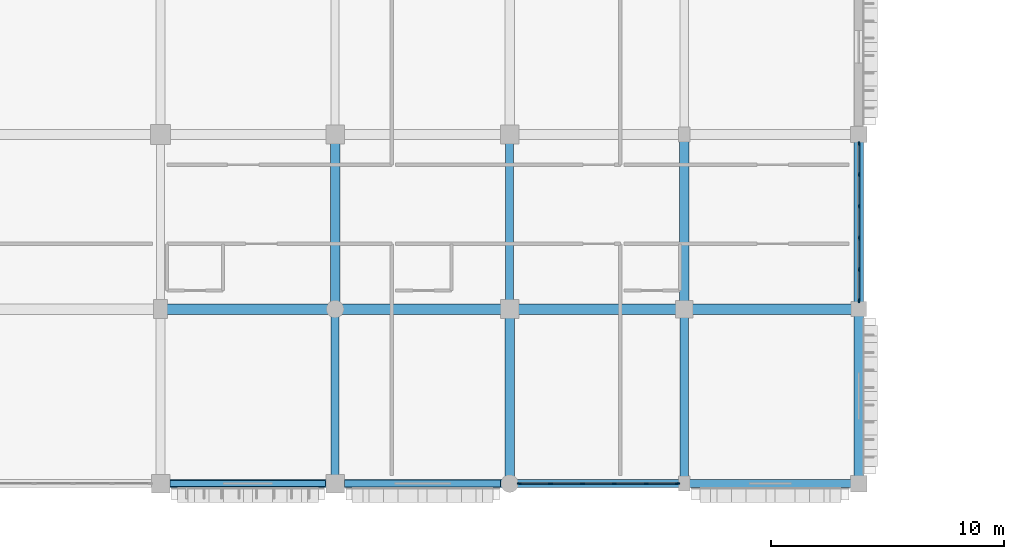
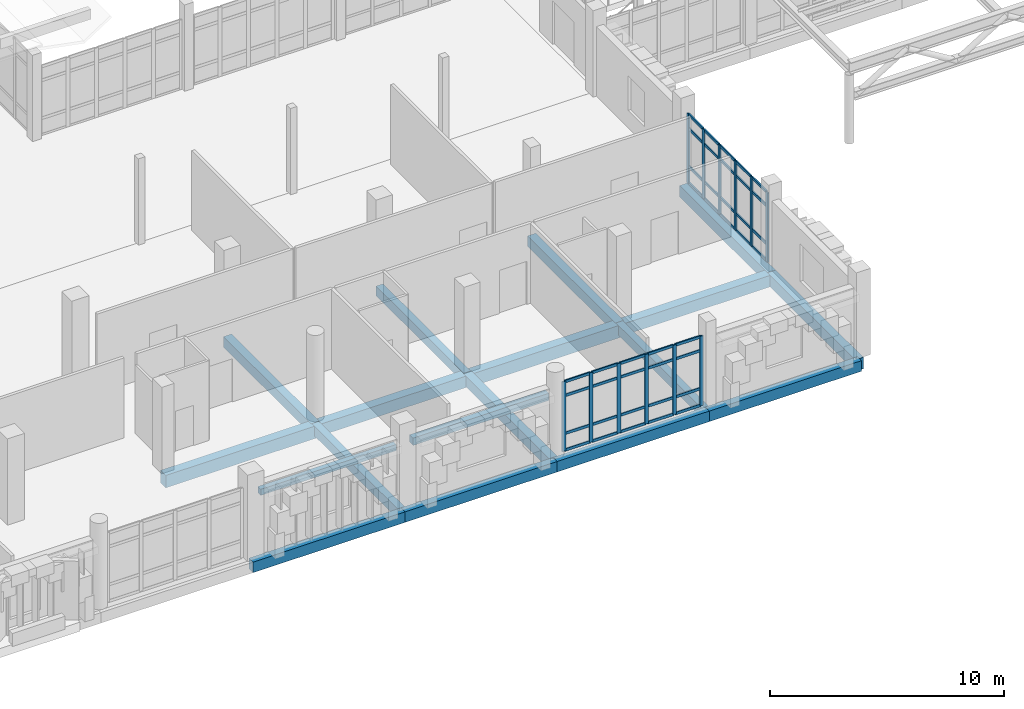
# One storey, part 16 of 128: 52 members, 18 beams, 2 elements without a shape of their own.
"""IFC4 building model written with IfcOpenShell, lengths in metres."""

from ifc_helpers import new_model, si_unit, direction, frame, origin, origin_2d, place, context, subcontext, project, spatial, rectangle, extrude, material, layer, layer_set, material_profile, profile_set, type_object, element, aggregate, save


model = new_model("IFC4")

# Units and contexts
model_context = context("Model", 3, precision=1e-05, world=origin(), true_north=direction((0.0, 1.0)))
body_context = subcontext(model_context, "Body", "Model", "MODEL_VIEW")
ifc_project = project(units=[si_unit("LENGTHUNIT", "METRE"), si_unit("AREAUNIT", "SQUARE_METRE"), si_unit("VOLUMEUNIT", "CUBIC_METRE"), si_unit("PLANEANGLEUNIT", "RADIAN"), si_unit("MASSUNIT", "GRAM", prefix="KILO")], contexts=[model_context])

# Site, building, storey
site_placement = place(None, origin())
site = spatial("IfcSite", under=ifc_project, at=site_placement, CompositionType="ELEMENT")
building_placement = place(site_placement, origin())
building = spatial("IfcBuilding", under=site, at=building_placement, Name="Dalvernix Boulevard General Hospital", CompositionType="ELEMENT")
storey_placement = place(building_placement, frame((0.0, 0.0, 4.800048828125)))
storey = spatial("IfcBuildingStorey", under=building, at=storey_placement, Name="L01", CompositionType="ELEMENT", Elevation=4.800048828125)

# Beams
ifc_material_1 = material(Name="Concrete C35/45", Category="concrete")
ifc_material_profile_1 = material_profile(ifc_material_1, rectangle(XDim=0.449951171875, YDim=0.64990234375, at=origin_2d()), Name="RCB 450x650")
ifc_profile_set_1 = profile_set([ifc_material_profile_1], Name="Concrete C35/45")
beam_type_1 = type_object("IfcBeamType", Name="BM-B-03-I", PredefinedType="BEAM", material=ifc_profile_set_1)
for number, where, z_axis, x_axis, name in (
    (1, (30.0, 7.5, -0.625), (1.0, 0.0, 0.0), (0.0, 1.0, 0.0), "L01 E-W girder B:5-6"),
    (2, (45.0, 7.5, -0.625), (1.0, 0.0, 0.0), (0.0, 1.0, 0.0), "L01 E-W girder B:7-8"),
):
    element("IfcBeam", number, at=place(storey_placement, frame(where, z_axis=z_axis, x_axis=x_axis)), inside=storey, type_object=beam_type_1, Name=name, PredefinedType="BEAM", context=body_context, shape_type="SweptSolid", body=[
        extrude(rectangle(XDim=0.449951171875, YDim=0.64990234375, at=origin_2d()), origin(), (0.0, 0.0, 1.0), 7.5),
    ])
ifc_material_profile_2 = material_profile(ifc_material_1, rectangle(XDim=0.449951171875, YDim=0.60009765625, at=origin_2d()), Name="RCB 450x600")
ifc_profile_set_2 = profile_set([ifc_material_profile_2], Name="Concrete C35/45")
beam_type_2 = type_object("IfcBeamType", Name="BM-B-04-I", PredefinedType="BEAM", material=ifc_profile_set_2)
for number, where, z_axis, x_axis, name in (
    (3, (37.5, 7.5, -0.60009765625), (1.0, 0.0, 0.0), (0.0, 1.0, 0.0), "L01 E-W girder B:6-7"),
    (4, (52.5, 7.5, -0.60009765625), (1.0, 0.0, 0.0), (0.0, 1.0, 0.0), "L01 E-W girder B:8-9"),
):
    element("IfcBeam", number, at=place(storey_placement, frame(where, z_axis=z_axis, x_axis=x_axis)), inside=storey, type_object=beam_type_2, Name=name, PredefinedType="BEAM", context=body_context, shape_type="SweptSolid", body=[
        extrude(rectangle(XDim=0.449951171875, YDim=0.60009765625, at=origin_2d()), origin(), (0.0, 0.0, 1.0), 7.5),
    ])
ifc_material_profile_3 = material_profile(ifc_material_1, rectangle(XDim=0.39990234375, YDim=0.550048828125, at=origin_2d()), Name="RCB 400x550")
ifc_profile_set_3 = profile_set([ifc_material_profile_3], Name="Concrete C35/45")
beam_type_3 = type_object("IfcBeamType", Name="BM-B-06-I", PredefinedType="BEAM", material=ifc_profile_set_3)
for number, where, z_axis, x_axis, name in (
    (5, (37.5, 7.5, -0.574951171875), (0.0, 1.0, 0.0), (-1.0, 0.0, 0.0), "L01 N-S girder 6:B-C"),
    (6, (45.0, 0.0, -0.574951171875), (0.0, 1.0, 0.0), (-1.0, 0.0, 0.0), "L01 N-S girder 7:A-B"),
    (7, (52.5, 7.5, -0.574951171875), (0.0, 1.0, 0.0), (-1.0, 0.0, 0.0), "L01 N-S girder 8:B-C"),
):
    element("IfcBeam", number, at=place(storey_placement, frame(where, z_axis=z_axis, x_axis=x_axis)), inside=storey, type_object=beam_type_3, Name=name, PredefinedType="BEAM", context=body_context, shape_type="SweptSolid", body=[
        extrude(rectangle(XDim=0.39990234375, YDim=0.550048828125, at=origin_2d()), origin(), (0.0, 0.0, 1.0), 7.5),
    ])
ifc_material_profile_4 = material_profile(ifc_material_1, rectangle(XDim=0.35009765625, YDim=0.5, at=origin_2d()), Name="RCB 350x500")
ifc_profile_set_4 = profile_set([ifc_material_profile_4], Name="Concrete C35/45")
beam_type_4 = type_object("IfcBeamType", Name="BM-B-08-I", PredefinedType="BEAM", material=ifc_profile_set_4)
for number, where, z_axis, x_axis, name in (
    (8, (37.5, 0.0, -0.550048828125), (0.0, 1.0, 0.0), (-1.0, 0.0, 0.0), "L01 N-S girder 6:A-B"),
    (9, (45.0, 7.5, -0.550048828125), (0.0, 1.0, 0.0), (-1.0, 0.0, 0.0), "L01 N-S girder 7:B-C"),
    (10, (52.5, 0.0, -0.550048828125), (0.0, 1.0, 0.0), (-1.0, 0.0, 0.0), "L01 N-S girder 8:A-B"),
):
    element("IfcBeam", number, at=place(storey_placement, frame(where, z_axis=z_axis, x_axis=x_axis)), inside=storey, type_object=beam_type_4, Name=name, PredefinedType="BEAM", context=body_context, shape_type="SweptSolid", body=[
        extrude(rectangle(XDim=0.35009765625, YDim=0.5, at=origin_2d()), origin(), (0.0, 0.0, 1.0), 7.5),
    ])
ifc_material_2 = material(Name="Precast concrete C40/50", Category="concrete")
ifc_material_profile_5 = material_profile(ifc_material_2, rectangle(XDim=0.25, YDim=0.320068359375, at=origin_2d()), Name="RCL 250x320")
ifc_profile_set_5 = profile_set([ifc_material_profile_5], Name="Precast concrete C40/50")
beam_type_5 = type_object("IfcBeamType", Name="BM-LB-01", PredefinedType="LINTEL", material=ifc_profile_set_5)
beam_1_placement = place(storey_placement, frame((37.090087890625, 0.0, 3.159912109375), z_axis=(-1.0, 0.0, 0.0), x_axis=(0.0, -1.0, 0.0)))
element("IfcBeam", 11, at=beam_1_placement, inside=storey, type_object=beam_type_5, Name="L01 precast window lintel S 4-0", PredefinedType="LINTEL", context=body_context, shape_type="SweptSolid", body=[
    extrude(rectangle(XDim=0.25, YDim=0.320068359375, at=origin_2d()), origin(), (0.0, 0.0, 1.0), 6.68017578125),
])
ifc_material_profile_6 = material_profile(ifc_material_2, rectangle(XDim=0.300048828125, YDim=0.3798828125, at=origin_2d()), Name="RCL 300x380")
ifc_profile_set_6 = profile_set([ifc_material_profile_6], Name="Precast concrete C40/50")
beam_type_6 = type_object("IfcBeamType", Name="BM-LB-02", PredefinedType="LINTEL", material=ifc_profile_set_6)
beam_2_placement = place(storey_placement, frame((44.614990234375, 0.0, 3.18994140625), z_axis=(-1.0, 0.0, 0.0), x_axis=(0.0, -1.0, 0.0)))
element("IfcBeam", 12, at=beam_2_placement, inside=storey, type_object=beam_type_6, Name="L01 precast window lintel S 5-0", PredefinedType="LINTEL", context=body_context, shape_type="SweptSolid", body=[
    extrude(rectangle(XDim=0.300048828125, YDim=0.3798828125, at=origin_2d()), origin(), (0.0, 0.0, 1.0), 6.705078125),
])
ifc_material_profile_7 = material_profile(ifc_material_1, rectangle(XDim=0.35009765625, YDim=0.550048828125, at=origin_2d()), Name="RCB 350x550")
ifc_profile_set_7 = profile_set([ifc_material_profile_7], Name="Concrete C35/45")
beam_type_7 = type_object("IfcBeamType", Name="BM-SB-01-E", PredefinedType="SPANDREL", material=ifc_profile_set_7)
for number, where, z_axis, x_axis, name in (
    (13, (30.0, 0.0, -0.574951171875), (1.0, 0.0, 0.0), (0.0, 1.0, 0.0), "L01 E-W girder A:5-6"),
    (14, (37.5, 0.0, -0.574951171875), (1.0, 0.0, 0.0), (0.0, 1.0, 0.0), "L01 E-W girder A:6-7"),
    (15, (45.0, 0.0, -0.574951171875), (1.0, 0.0, 0.0), (0.0, 1.0, 0.0), "L01 E-W girder A:7-8"),
    (16, (52.5, 0.0, -0.574951171875), (1.0, 0.0, 0.0), (0.0, 1.0, 0.0), "L01 E-W girder A:8-9"),
):
    element("IfcBeam", number, at=place(storey_placement, frame(where, z_axis=z_axis, x_axis=x_axis)), inside=storey, type_object=beam_type_7, Name=name, PredefinedType="SPANDREL", context=body_context, shape_type="SweptSolid", body=[
        extrude(rectangle(XDim=0.35009765625, YDim=0.550048828125, at=origin_2d()), origin(), (0.0, 0.0, 1.0), 7.5),
    ])
ifc_material_profile_8 = material_profile(ifc_material_1, rectangle(XDim=0.39990234375, YDim=0.60009765625, at=origin_2d()), Name="RCB 400x600")
ifc_profile_set_8 = profile_set([ifc_material_profile_8], Name="Concrete C35/45")
beam_type_8 = type_object("IfcBeamType", Name="BM-SB-02-E", PredefinedType="SPANDREL", material=ifc_profile_set_8)
for number, where, z_axis, x_axis, name in (
    (17, (60.0, 0.0, -0.60009765625), (0.0, 1.0, 0.0), (-1.0, 0.0, 0.0), "L01 N-S girder 9:A-B"),
    (18, (60.0, 7.5, -0.60009765625), (0.0, 1.0, 0.0), (-1.0, 0.0, 0.0), "L01 N-S girder 9:B-C"),
):
    element("IfcBeam", number, at=place(storey_placement, frame(where, z_axis=z_axis, x_axis=x_axis)), inside=storey, type_object=beam_type_8, Name=name, PredefinedType="SPANDREL", context=body_context, shape_type="SweptSolid", body=[
        extrude(rectangle(XDim=0.39990234375, YDim=0.60009765625, at=origin_2d()), origin(), (0.0, 0.0, 1.0), 7.5),
    ])

# Curtain wall, members
ifc_material_3 = material(Name="Thermally broken aluminium and solar-control glass curtain wall", Category="aluminium")
ifc_layer_1 = layer(ifc_material_3, 0.179931640625)
ifc_layer_set_1 = layer_set([ifc_layer_1], Name="Thermally broken aluminium and solar-control glass curtain wall (CW-CW-B-69x36)")
curtain_wall_type_1 = type_object("IfcCurtainWallType", Name="CW-CW-B-69x36", PredefinedType="USERDEFINED", material=ifc_layer_set_1)
curtain_wall_1_placement = place(storey_placement, origin())
curtain_wall_1 = element("IfcCurtainWall", 19, at=curtain_wall_1_placement, inside=storey, type_object=curtain_wall_type_1, Name="L01 curtain wall CW-B-69x36 6-0", ObjectType="GLAZED FACADE", PredefinedType="USERDEFINED")
ifc_material_4 = material(Name="Aluminium EN AW-6060", Category="aluminium")
ifc_material_profile_9 = material_profile(ifc_material_4, rectangle(XDim=0.06494140625, YDim=0.179931640625, at=origin_2d()), Name="ALU MULL 65x180")
ifc_profile_set_9 = profile_set([ifc_material_profile_9], Name="Aluminium EN AW-6060")
member_type_1 = type_object("IfcMemberType", Name="MEM-CW-M2", PredefinedType="MULLION", material=ifc_profile_set_9)
member_1_placement = place(storey_placement, frame((52.20751953125, 0.0, 0.0), z_axis=(0.0, 0.0, 1.0), x_axis=(0.0, -1.0, 0.0)))
member_1 = element("IfcMember", 20, at=member_1_placement, type_object=member_type_1, Name="CW-B-69x36 mullion 1", PredefinedType="MULLION", context=body_context, shape_type="SweptSolid", body=[
    extrude(rectangle(XDim=0.06494140625, YDim=0.179931640625, at=origin_2d()), origin(), (0.0, 0.0, 1.0), 3.6298828125),
])
member_2_placement = place(storey_placement, frame((50.868896484375, 0.0, 0.0), z_axis=(0.0, 0.0, 1.0), x_axis=(0.0, -1.0, 0.0)))
member_2 = element("IfcMember", 21, at=member_2_placement, type_object=member_type_1, Name="CW-B-69x36 mullion 2", PredefinedType="MULLION", context=body_context, shape_type="SweptSolid", body=[
    extrude(rectangle(XDim=0.06494140625, YDim=0.179931640625, at=origin_2d()), origin(), (0.0, 0.0, 1.0), 3.6298828125),
])
member_3_placement = place(storey_placement, frame((49.498046875, 0.0, 0.0), z_axis=(0.0, 0.0, 1.0), x_axis=(0.0, -1.0, 0.0)))
member_3 = element("IfcMember", 22, at=member_3_placement, type_object=member_type_1, Name="CW-B-69x36 mullion 3", PredefinedType="MULLION", context=body_context, shape_type="SweptSolid", body=[
    extrude(rectangle(XDim=0.06494140625, YDim=0.179931640625, at=origin_2d()), origin(), (0.0, 0.0, 1.0), 3.6298828125),
])
member_4_placement = place(storey_placement, frame((48.126953125, 0.0, 0.0), z_axis=(0.0, 0.0, 1.0), x_axis=(0.0, -1.0, 0.0)))
member_4 = element("IfcMember", 23, at=member_4_placement, type_object=member_type_1, Name="CW-B-69x36 mullion 4", PredefinedType="MULLION", context=body_context, shape_type="SweptSolid", body=[
    extrude(rectangle(XDim=0.06494140625, YDim=0.179931640625, at=origin_2d()), origin(), (0.0, 0.0, 1.0), 3.6298828125),
])
member_5_placement = place(storey_placement, frame((46.756103515625, 0.0, 0.0), z_axis=(0.0, 0.0, 1.0), x_axis=(0.0, -1.0, 0.0)))
member_5 = element("IfcMember", 24, at=member_5_placement, type_object=member_type_1, Name="CW-B-69x36 mullion 5", PredefinedType="MULLION", context=body_context, shape_type="SweptSolid", body=[
    extrude(rectangle(XDim=0.06494140625, YDim=0.179931640625, at=origin_2d()), origin(), (0.0, 0.0, 1.0), 3.6298828125),
])
member_6_placement = place(storey_placement, frame((45.41748046875, 0.0, 0.0), z_axis=(0.0, 0.0, 1.0), x_axis=(0.0, -1.0, 0.0)))
member_6 = element("IfcMember", 25, at=member_6_placement, type_object=member_type_1, Name="CW-B-69x36 mullion 6", PredefinedType="MULLION", context=body_context, shape_type="SweptSolid", body=[
    extrude(rectangle(XDim=0.06494140625, YDim=0.179931640625, at=origin_2d()), origin(), (0.0, 0.0, 1.0), 3.6298828125),
])

ifc_layer_2 = layer(ifc_material_3, 0.179931640625)
ifc_layer_set_2 = layer_set([ifc_layer_2], Name="Thermally broken aluminium and solar-control glass curtain wall (CW-CW-B-68x36)")
curtain_wall_type_2 = type_object("IfcCurtainWallType", Name="CW-CW-B-68x36", PredefinedType="USERDEFINED", material=ifc_layer_set_2)
curtain_wall_2_placement = place(storey_placement, origin())
curtain_wall_2 = element("IfcCurtainWall", 26, at=curtain_wall_2_placement, inside=storey, type_object=curtain_wall_type_2, Name="L01 curtain wall CW-B-68x36 8-1", ObjectType="GLAZED FACADE", PredefinedType="USERDEFINED")
member_7_placement = place(storey_placement, frame((60.0, 14.607421875, 0.0), z_axis=(0.0, 0.0, 1.0), x_axis=(1.0, 0.0, 0.0)))
member_7 = element("IfcMember", 27, at=member_7_placement, type_object=member_type_1, Name="CW-B-68x36 mullion 1", PredefinedType="MULLION", context=body_context, shape_type="SweptSolid", body=[
    extrude(rectangle(XDim=0.06494140625, YDim=0.179931640625, at=origin_2d()), origin(), (0.0, 0.0, 1.0), 3.6298828125),
])
member_8_placement = place(storey_placement, frame((60.0, 13.279052734375, 0.0), z_axis=(0.0, 0.0, 1.0), x_axis=(1.0, 0.0, 0.0)))
member_8 = element("IfcMember", 28, at=member_8_placement, type_object=member_type_1, Name="CW-B-68x36 mullion 2", PredefinedType="MULLION", context=body_context, shape_type="SweptSolid", body=[
    extrude(rectangle(XDim=0.06494140625, YDim=0.179931640625, at=origin_2d()), origin(), (0.0, 0.0, 1.0), 3.6298828125),
])
member_9_placement = place(storey_placement, frame((60.0, 11.91796875, 0.0), z_axis=(0.0, 0.0, 1.0), x_axis=(1.0, 0.0, 0.0)))
member_9 = element("IfcMember", 29, at=member_9_placement, type_object=member_type_1, Name="CW-B-68x36 mullion 3", PredefinedType="MULLION", context=body_context, shape_type="SweptSolid", body=[
    extrude(rectangle(XDim=0.06494140625, YDim=0.179931640625, at=origin_2d()), origin(), (0.0, 0.0, 1.0), 3.6298828125),
])
member_10_placement = place(storey_placement, frame((60.0, 10.556884765625, 0.0), z_axis=(0.0, 0.0, 1.0), x_axis=(1.0, 0.0, 0.0)))
member_10 = element("IfcMember", 30, at=member_10_placement, type_object=member_type_1, Name="CW-B-68x36 mullion 4", PredefinedType="MULLION", context=body_context, shape_type="SweptSolid", body=[
    extrude(rectangle(XDim=0.06494140625, YDim=0.179931640625, at=origin_2d()), origin(), (0.0, 0.0, 1.0), 3.6298828125),
])
member_11_placement = place(storey_placement, frame((60.0, 9.196044921875, 0.0), z_axis=(0.0, 0.0, 1.0), x_axis=(1.0, 0.0, 0.0)))
member_11 = element("IfcMember", 31, at=member_11_placement, type_object=member_type_1, Name="CW-B-68x36 mullion 5", PredefinedType="MULLION", context=body_context, shape_type="SweptSolid", body=[
    extrude(rectangle(XDim=0.06494140625, YDim=0.179931640625, at=origin_2d()), origin(), (0.0, 0.0, 1.0), 3.6298828125),
])
member_12_placement = place(storey_placement, frame((60.0, 7.867431640625, 0.0), z_axis=(0.0, 0.0, 1.0), x_axis=(1.0, 0.0, 0.0)))
member_12 = element("IfcMember", 32, at=member_12_placement, type_object=member_type_1, Name="CW-B-68x36 mullion 6", PredefinedType="MULLION", context=body_context, shape_type="SweptSolid", body=[
    extrude(rectangle(XDim=0.06494140625, YDim=0.179931640625, at=origin_2d()), origin(), (0.0, 0.0, 1.0), 3.6298828125),
])

# Member
ifc_material_profile_10 = material_profile(ifc_material_4, rectangle(XDim=0.06494140625, YDim=0.139892578125, at=origin_2d()), Name="ALU TRAN 65x140")
ifc_profile_set_10 = profile_set([ifc_material_profile_10], Name="Aluminium EN AW-6060")
member_type_2 = type_object("IfcMemberType", Name="MEM-CW-T2", PredefinedType="USERDEFINED", material=ifc_profile_set_10)
member_13_placement = place(storey_placement, frame((52.175048828125, 0.0, 0.032470703125), z_axis=(-1.0, 0.0, 0.0), x_axis=(0.0, -1.0, 0.0)))
member_13 = element("IfcMember", 33, at=member_13_placement, type_object=member_type_2, Name="CW-B-69x36 transom 1.1", ObjectType="TRANSOM", PredefinedType="USERDEFINED", context=body_context, shape_type="SweptSolid", body=[
    extrude(rectangle(XDim=0.06494140625, YDim=0.139892578125, at=origin_2d()), origin(), (0.0, 0.0, 1.0), 1.2734375),
])

member_14_placement = place(storey_placement, frame((52.175048828125, 0.0, 0.89990234375), z_axis=(-1.0, 0.0, 0.0), x_axis=(0.0, -1.0, 0.0)))
member_14 = element("IfcMember", 34, at=member_14_placement, type_object=member_type_2, Name="CW-B-69x36 transom 1.2", ObjectType="TRANSOM", PredefinedType="USERDEFINED", context=body_context, shape_type="SweptSolid", body=[
    extrude(rectangle(XDim=0.06494140625, YDim=0.139892578125, at=origin_2d()), origin(), (0.0, 0.0, 1.0), 1.2734375),
])

member_15_placement = place(storey_placement, frame((52.175048828125, 0.0, 2.8798828125), z_axis=(-1.0, 0.0, 0.0), x_axis=(0.0, -1.0, 0.0)))
member_15 = element("IfcMember", 35, at=member_15_placement, type_object=member_type_2, Name="CW-B-69x36 transom 1.3", ObjectType="TRANSOM", PredefinedType="USERDEFINED", context=body_context, shape_type="SweptSolid", body=[
    extrude(rectangle(XDim=0.06494140625, YDim=0.139892578125, at=origin_2d()), origin(), (0.0, 0.0, 1.0), 1.2734375),
])

member_16_placement = place(storey_placement, frame((52.175048828125, 0.0, 3.597412109375), z_axis=(-1.0, 0.0, 0.0), x_axis=(0.0, -1.0, 0.0)))
member_16 = element("IfcMember", 36, at=member_16_placement, type_object=member_type_2, Name="CW-B-69x36 transom 1.4", ObjectType="TRANSOM", PredefinedType="USERDEFINED", context=body_context, shape_type="SweptSolid", body=[
    extrude(rectangle(XDim=0.06494140625, YDim=0.139892578125, at=origin_2d()), origin(), (0.0, 0.0, 1.0), 1.2734375),
])

member_17_placement = place(storey_placement, frame((50.83642578125, 0.0, 0.032470703125), z_axis=(-1.0, 0.0, 0.0), x_axis=(0.0, -1.0, 0.0)))
member_17 = element("IfcMember", 37, at=member_17_placement, type_object=member_type_2, Name="CW-B-69x36 transom 2.1", ObjectType="TRANSOM", PredefinedType="USERDEFINED", context=body_context, shape_type="SweptSolid", body=[
    extrude(rectangle(XDim=0.06494140625, YDim=0.139892578125, at=origin_2d()), origin(), (0.0, 0.0, 1.0), 1.305908203125),
])

member_18_placement = place(storey_placement, frame((50.83642578125, 0.0, 0.89990234375), z_axis=(-1.0, 0.0, 0.0), x_axis=(0.0, -1.0, 0.0)))
member_18 = element("IfcMember", 38, at=member_18_placement, type_object=member_type_2, Name="CW-B-69x36 transom 2.2", ObjectType="TRANSOM", PredefinedType="USERDEFINED", context=body_context, shape_type="SweptSolid", body=[
    extrude(rectangle(XDim=0.06494140625, YDim=0.139892578125, at=origin_2d()), origin(), (0.0, 0.0, 1.0), 1.305908203125),
])

member_19_placement = place(storey_placement, frame((50.83642578125, 0.0, 2.8798828125), z_axis=(-1.0, 0.0, 0.0), x_axis=(0.0, -1.0, 0.0)))
member_19 = element("IfcMember", 39, at=member_19_placement, type_object=member_type_2, Name="CW-B-69x36 transom 2.3", ObjectType="TRANSOM", PredefinedType="USERDEFINED", context=body_context, shape_type="SweptSolid", body=[
    extrude(rectangle(XDim=0.06494140625, YDim=0.139892578125, at=origin_2d()), origin(), (0.0, 0.0, 1.0), 1.305908203125),
])

member_20_placement = place(storey_placement, frame((50.83642578125, 0.0, 3.597412109375), z_axis=(-1.0, 0.0, 0.0), x_axis=(0.0, -1.0, 0.0)))
member_20 = element("IfcMember", 40, at=member_20_placement, type_object=member_type_2, Name="CW-B-69x36 transom 2.4", ObjectType="TRANSOM", PredefinedType="USERDEFINED", context=body_context, shape_type="SweptSolid", body=[
    extrude(rectangle(XDim=0.06494140625, YDim=0.139892578125, at=origin_2d()), origin(), (0.0, 0.0, 1.0), 1.305908203125),
])

member_21_placement = place(storey_placement, frame((49.465576171875, 0.0, 0.032470703125), z_axis=(-1.0, 0.0, 0.0), x_axis=(0.0, -1.0, 0.0)))
member_21 = element("IfcMember", 41, at=member_21_placement, type_object=member_type_2, Name="CW-B-69x36 transom 3.1", ObjectType="TRANSOM", PredefinedType="USERDEFINED", context=body_context, shape_type="SweptSolid", body=[
    extrude(rectangle(XDim=0.06494140625, YDim=0.139892578125, at=origin_2d()), origin(), (0.0, 0.0, 1.0), 1.30615234375),
])

member_22_placement = place(storey_placement, frame((49.465576171875, 0.0, 0.89990234375), z_axis=(-1.0, 0.0, 0.0), x_axis=(0.0, -1.0, 0.0)))
member_22 = element("IfcMember", 42, at=member_22_placement, type_object=member_type_2, Name="CW-B-69x36 transom 3.2", ObjectType="TRANSOM", PredefinedType="USERDEFINED", context=body_context, shape_type="SweptSolid", body=[
    extrude(rectangle(XDim=0.06494140625, YDim=0.139892578125, at=origin_2d()), origin(), (0.0, 0.0, 1.0), 1.30615234375),
])

member_23_placement = place(storey_placement, frame((49.465576171875, 0.0, 2.8798828125), z_axis=(-1.0, 0.0, 0.0), x_axis=(0.0, -1.0, 0.0)))
member_23 = element("IfcMember", 43, at=member_23_placement, type_object=member_type_2, Name="CW-B-69x36 transom 3.3", ObjectType="TRANSOM", PredefinedType="USERDEFINED", context=body_context, shape_type="SweptSolid", body=[
    extrude(rectangle(XDim=0.06494140625, YDim=0.139892578125, at=origin_2d()), origin(), (0.0, 0.0, 1.0), 1.30615234375),
])

member_24_placement = place(storey_placement, frame((49.465576171875, 0.0, 3.597412109375), z_axis=(-1.0, 0.0, 0.0), x_axis=(0.0, -1.0, 0.0)))
member_24 = element("IfcMember", 44, at=member_24_placement, type_object=member_type_2, Name="CW-B-69x36 transom 3.4", ObjectType="TRANSOM", PredefinedType="USERDEFINED", context=body_context, shape_type="SweptSolid", body=[
    extrude(rectangle(XDim=0.06494140625, YDim=0.139892578125, at=origin_2d()), origin(), (0.0, 0.0, 1.0), 1.30615234375),
])

member_25_placement = place(storey_placement, frame((48.094482421875, 0.0, 0.032470703125), z_axis=(-1.0, 0.0, 0.0), x_axis=(0.0, -1.0, 0.0)))
member_25 = element("IfcMember", 45, at=member_25_placement, type_object=member_type_2, Name="CW-B-69x36 transom 4.1", ObjectType="TRANSOM", PredefinedType="USERDEFINED", context=body_context, shape_type="SweptSolid", body=[
    extrude(rectangle(XDim=0.06494140625, YDim=0.139892578125, at=origin_2d()), origin(), (0.0, 0.0, 1.0), 1.305908203125),
])

member_26_placement = place(storey_placement, frame((48.094482421875, 0.0, 0.89990234375), z_axis=(-1.0, 0.0, 0.0), x_axis=(0.0, -1.0, 0.0)))
member_26 = element("IfcMember", 46, at=member_26_placement, type_object=member_type_2, Name="CW-B-69x36 transom 4.2", ObjectType="TRANSOM", PredefinedType="USERDEFINED", context=body_context, shape_type="SweptSolid", body=[
    extrude(rectangle(XDim=0.06494140625, YDim=0.139892578125, at=origin_2d()), origin(), (0.0, 0.0, 1.0), 1.305908203125),
])

member_27_placement = place(storey_placement, frame((48.094482421875, 0.0, 2.8798828125), z_axis=(-1.0, 0.0, 0.0), x_axis=(0.0, -1.0, 0.0)))
member_27 = element("IfcMember", 47, at=member_27_placement, type_object=member_type_2, Name="CW-B-69x36 transom 4.3", ObjectType="TRANSOM", PredefinedType="USERDEFINED", context=body_context, shape_type="SweptSolid", body=[
    extrude(rectangle(XDim=0.06494140625, YDim=0.139892578125, at=origin_2d()), origin(), (0.0, 0.0, 1.0), 1.305908203125),
])

member_28_placement = place(storey_placement, frame((48.094482421875, 0.0, 3.597412109375), z_axis=(-1.0, 0.0, 0.0), x_axis=(0.0, -1.0, 0.0)))
member_28 = element("IfcMember", 48, at=member_28_placement, type_object=member_type_2, Name="CW-B-69x36 transom 4.4", ObjectType="TRANSOM", PredefinedType="USERDEFINED", context=body_context, shape_type="SweptSolid", body=[
    extrude(rectangle(XDim=0.06494140625, YDim=0.139892578125, at=origin_2d()), origin(), (0.0, 0.0, 1.0), 1.305908203125),
])

member_29_placement = place(storey_placement, frame((46.723388671875, 0.0, 0.032470703125), z_axis=(-1.0, 0.0, 0.0), x_axis=(0.0, -1.0, 0.0)))
member_29 = element("IfcMember", 49, at=member_29_placement, type_object=member_type_2, Name="CW-B-69x36 transom 5.1", ObjectType="TRANSOM", PredefinedType="USERDEFINED", context=body_context, shape_type="SweptSolid", body=[
    extrude(rectangle(XDim=0.06494140625, YDim=0.139892578125, at=origin_2d()), origin(), (0.0, 0.0, 1.0), 1.2734375),
])

member_30_placement = place(storey_placement, frame((46.723388671875, 0.0, 0.89990234375), z_axis=(-1.0, 0.0, 0.0), x_axis=(0.0, -1.0, 0.0)))
member_30 = element("IfcMember", 50, at=member_30_placement, type_object=member_type_2, Name="CW-B-69x36 transom 5.2", ObjectType="TRANSOM", PredefinedType="USERDEFINED", context=body_context, shape_type="SweptSolid", body=[
    extrude(rectangle(XDim=0.06494140625, YDim=0.139892578125, at=origin_2d()), origin(), (0.0, 0.0, 1.0), 1.2734375),
])

member_31_placement = place(storey_placement, frame((46.723388671875, 0.0, 2.8798828125), z_axis=(-1.0, 0.0, 0.0), x_axis=(0.0, -1.0, 0.0)))
member_31 = element("IfcMember", 51, at=member_31_placement, type_object=member_type_2, Name="CW-B-69x36 transom 5.3", ObjectType="TRANSOM", PredefinedType="USERDEFINED", context=body_context, shape_type="SweptSolid", body=[
    extrude(rectangle(XDim=0.06494140625, YDim=0.139892578125, at=origin_2d()), origin(), (0.0, 0.0, 1.0), 1.2734375),
])

member_32_placement = place(storey_placement, frame((46.723388671875, 0.0, 3.597412109375), z_axis=(-1.0, 0.0, 0.0), x_axis=(0.0, -1.0, 0.0)))
member_32 = element("IfcMember", 52, at=member_32_placement, type_object=member_type_2, Name="CW-B-69x36 transom 5.4", ObjectType="TRANSOM", PredefinedType="USERDEFINED", context=body_context, shape_type="SweptSolid", body=[
    extrude(rectangle(XDim=0.06494140625, YDim=0.139892578125, at=origin_2d()), origin(), (0.0, 0.0, 1.0), 1.2734375),
])

aggregate(curtain_wall_1, [member_1, member_2, member_3, member_4, member_5, member_6, member_13, member_14, member_15, member_16, member_17, member_18, member_19, member_20, member_21, member_22, member_23, member_24, member_25, member_26, member_27, member_28, member_29, member_30, member_31, member_32])

member_33_placement = place(storey_placement, frame((60.0, 14.574951171875, 0.032470703125), z_axis=(0.0, -1.0, 0.0), x_axis=(1.0, 0.0, 0.0)))
member_33 = element("IfcMember", 53, at=member_33_placement, type_object=member_type_2, Name="CW-B-68x36 transom 1.1", ObjectType="TRANSOM", PredefinedType="USERDEFINED", context=body_context, shape_type="SweptSolid", body=[
    extrude(rectangle(XDim=0.06494140625, YDim=0.139892578125, at=origin_2d()), origin(), (0.0, 0.0, 1.0), 1.263427734375),
])

member_34_placement = place(storey_placement, frame((60.0, 14.574951171875, 0.89990234375), z_axis=(0.0, -1.0, 0.0), x_axis=(1.0, 0.0, 0.0)))
member_34 = element("IfcMember", 54, at=member_34_placement, type_object=member_type_2, Name="CW-B-68x36 transom 1.2", ObjectType="TRANSOM", PredefinedType="USERDEFINED", context=body_context, shape_type="SweptSolid", body=[
    extrude(rectangle(XDim=0.06494140625, YDim=0.139892578125, at=origin_2d()), origin(), (0.0, 0.0, 1.0), 1.263427734375),
])

member_35_placement = place(storey_placement, frame((60.0, 14.574951171875, 2.8798828125), z_axis=(0.0, -1.0, 0.0), x_axis=(1.0, 0.0, 0.0)))
member_35 = element("IfcMember", 55, at=member_35_placement, type_object=member_type_2, Name="CW-B-68x36 transom 1.3", ObjectType="TRANSOM", PredefinedType="USERDEFINED", context=body_context, shape_type="SweptSolid", body=[
    extrude(rectangle(XDim=0.06494140625, YDim=0.139892578125, at=origin_2d()), origin(), (0.0, 0.0, 1.0), 1.263427734375),
])

member_36_placement = place(storey_placement, frame((60.0, 14.574951171875, 3.597412109375), z_axis=(0.0, -1.0, 0.0), x_axis=(1.0, 0.0, 0.0)))
member_36 = element("IfcMember", 56, at=member_36_placement, type_object=member_type_2, Name="CW-B-68x36 transom 1.4", ObjectType="TRANSOM", PredefinedType="USERDEFINED", context=body_context, shape_type="SweptSolid", body=[
    extrude(rectangle(XDim=0.06494140625, YDim=0.139892578125, at=origin_2d()), origin(), (0.0, 0.0, 1.0), 1.263427734375),
])

member_37_placement = place(storey_placement, frame((60.0, 13.24658203125, 0.032470703125), z_axis=(0.0, -1.0, 0.0), x_axis=(1.0, 0.0, 0.0)))
member_37 = element("IfcMember", 57, at=member_37_placement, type_object=member_type_2, Name="CW-B-68x36 transom 2.1", ObjectType="TRANSOM", PredefinedType="USERDEFINED", context=body_context, shape_type="SweptSolid", body=[
    extrude(rectangle(XDim=0.06494140625, YDim=0.139892578125, at=origin_2d()), origin(), (0.0, 0.0, 1.0), 1.296142578125),
])

member_38_placement = place(storey_placement, frame((60.0, 13.24658203125, 0.89990234375), z_axis=(0.0, -1.0, 0.0), x_axis=(1.0, 0.0, 0.0)))
member_38 = element("IfcMember", 58, at=member_38_placement, type_object=member_type_2, Name="CW-B-68x36 transom 2.2", ObjectType="TRANSOM", PredefinedType="USERDEFINED", context=body_context, shape_type="SweptSolid", body=[
    extrude(rectangle(XDim=0.06494140625, YDim=0.139892578125, at=origin_2d()), origin(), (0.0, 0.0, 1.0), 1.296142578125),
])

member_39_placement = place(storey_placement, frame((60.0, 13.24658203125, 2.8798828125), z_axis=(0.0, -1.0, 0.0), x_axis=(1.0, 0.0, 0.0)))
member_39 = element("IfcMember", 59, at=member_39_placement, type_object=member_type_2, Name="CW-B-68x36 transom 2.3", ObjectType="TRANSOM", PredefinedType="USERDEFINED", context=body_context, shape_type="SweptSolid", body=[
    extrude(rectangle(XDim=0.06494140625, YDim=0.139892578125, at=origin_2d()), origin(), (0.0, 0.0, 1.0), 1.296142578125),
])

member_40_placement = place(storey_placement, frame((60.0, 13.24658203125, 3.597412109375), z_axis=(0.0, -1.0, 0.0), x_axis=(1.0, 0.0, 0.0)))
member_40 = element("IfcMember", 60, at=member_40_placement, type_object=member_type_2, Name="CW-B-68x36 transom 2.4", ObjectType="TRANSOM", PredefinedType="USERDEFINED", context=body_context, shape_type="SweptSolid", body=[
    extrude(rectangle(XDim=0.06494140625, YDim=0.139892578125, at=origin_2d()), origin(), (0.0, 0.0, 1.0), 1.296142578125),
])

member_41_placement = place(storey_placement, frame((60.0, 11.885498046875, 0.032470703125), z_axis=(0.0, -1.0, 0.0), x_axis=(1.0, 0.0, 0.0)))
member_41 = element("IfcMember", 61, at=member_41_placement, type_object=member_type_2, Name="CW-B-68x36 transom 3.1", ObjectType="TRANSOM", PredefinedType="USERDEFINED", context=body_context, shape_type="SweptSolid", body=[
    extrude(rectangle(XDim=0.06494140625, YDim=0.139892578125, at=origin_2d()), origin(), (0.0, 0.0, 1.0), 1.2958984375),
])

member_42_placement = place(storey_placement, frame((60.0, 11.885498046875, 0.89990234375), z_axis=(0.0, -1.0, 0.0), x_axis=(1.0, 0.0, 0.0)))
member_42 = element("IfcMember", 62, at=member_42_placement, type_object=member_type_2, Name="CW-B-68x36 transom 3.2", ObjectType="TRANSOM", PredefinedType="USERDEFINED", context=body_context, shape_type="SweptSolid", body=[
    extrude(rectangle(XDim=0.06494140625, YDim=0.139892578125, at=origin_2d()), origin(), (0.0, 0.0, 1.0), 1.2958984375),
])

member_43_placement = place(storey_placement, frame((60.0, 11.885498046875, 2.8798828125), z_axis=(0.0, -1.0, 0.0), x_axis=(1.0, 0.0, 0.0)))
member_43 = element("IfcMember", 63, at=member_43_placement, type_object=member_type_2, Name="CW-B-68x36 transom 3.3", ObjectType="TRANSOM", PredefinedType="USERDEFINED", context=body_context, shape_type="SweptSolid", body=[
    extrude(rectangle(XDim=0.06494140625, YDim=0.139892578125, at=origin_2d()), origin(), (0.0, 0.0, 1.0), 1.2958984375),
])

member_44_placement = place(storey_placement, frame((60.0, 11.885498046875, 3.597412109375), z_axis=(0.0, -1.0, 0.0), x_axis=(1.0, 0.0, 0.0)))
member_44 = element("IfcMember", 64, at=member_44_placement, type_object=member_type_2, Name="CW-B-68x36 transom 3.4", ObjectType="TRANSOM", PredefinedType="USERDEFINED", context=body_context, shape_type="SweptSolid", body=[
    extrude(rectangle(XDim=0.06494140625, YDim=0.139892578125, at=origin_2d()), origin(), (0.0, 0.0, 1.0), 1.2958984375),
])

member_45_placement = place(storey_placement, frame((60.0, 10.5244140625, 0.032470703125), z_axis=(0.0, -1.0, 0.0), x_axis=(1.0, 0.0, 0.0)))
member_45 = element("IfcMember", 65, at=member_45_placement, type_object=member_type_2, Name="CW-B-68x36 transom 4.1", ObjectType="TRANSOM", PredefinedType="USERDEFINED", context=body_context, shape_type="SweptSolid", body=[
    extrude(rectangle(XDim=0.06494140625, YDim=0.139892578125, at=origin_2d()), origin(), (0.0, 0.0, 1.0), 1.2958984375),
])

member_46_placement = place(storey_placement, frame((60.0, 10.5244140625, 0.89990234375), z_axis=(0.0, -1.0, 0.0), x_axis=(1.0, 0.0, 0.0)))
member_46 = element("IfcMember", 66, at=member_46_placement, type_object=member_type_2, Name="CW-B-68x36 transom 4.2", ObjectType="TRANSOM", PredefinedType="USERDEFINED", context=body_context, shape_type="SweptSolid", body=[
    extrude(rectangle(XDim=0.06494140625, YDim=0.139892578125, at=origin_2d()), origin(), (0.0, 0.0, 1.0), 1.2958984375),
])

member_47_placement = place(storey_placement, frame((60.0, 10.5244140625, 2.8798828125), z_axis=(0.0, -1.0, 0.0), x_axis=(1.0, 0.0, 0.0)))
member_47 = element("IfcMember", 67, at=member_47_placement, type_object=member_type_2, Name="CW-B-68x36 transom 4.3", ObjectType="TRANSOM", PredefinedType="USERDEFINED", context=body_context, shape_type="SweptSolid", body=[
    extrude(rectangle(XDim=0.06494140625, YDim=0.139892578125, at=origin_2d()), origin(), (0.0, 0.0, 1.0), 1.2958984375),
])

member_48_placement = place(storey_placement, frame((60.0, 10.5244140625, 3.597412109375), z_axis=(0.0, -1.0, 0.0), x_axis=(1.0, 0.0, 0.0)))
member_48 = element("IfcMember", 68, at=member_48_placement, type_object=member_type_2, Name="CW-B-68x36 transom 4.4", ObjectType="TRANSOM", PredefinedType="USERDEFINED", context=body_context, shape_type="SweptSolid", body=[
    extrude(rectangle(XDim=0.06494140625, YDim=0.139892578125, at=origin_2d()), origin(), (0.0, 0.0, 1.0), 1.2958984375),
])

member_49_placement = place(storey_placement, frame((60.0, 9.16357421875, 0.032470703125), z_axis=(0.0, -1.0, 0.0), x_axis=(1.0, 0.0, 0.0)))
member_49 = element("IfcMember", 69, at=member_49_placement, type_object=member_type_2, Name="CW-B-68x36 transom 5.1", ObjectType="TRANSOM", PredefinedType="USERDEFINED", context=body_context, shape_type="SweptSolid", body=[
    extrude(rectangle(XDim=0.06494140625, YDim=0.139892578125, at=origin_2d()), origin(), (0.0, 0.0, 1.0), 1.263671875),
])

member_50_placement = place(storey_placement, frame((60.0, 9.16357421875, 0.89990234375), z_axis=(0.0, -1.0, 0.0), x_axis=(1.0, 0.0, 0.0)))
member_50 = element("IfcMember", 70, at=member_50_placement, type_object=member_type_2, Name="CW-B-68x36 transom 5.2", ObjectType="TRANSOM", PredefinedType="USERDEFINED", context=body_context, shape_type="SweptSolid", body=[
    extrude(rectangle(XDim=0.06494140625, YDim=0.139892578125, at=origin_2d()), origin(), (0.0, 0.0, 1.0), 1.263671875),
])

member_51_placement = place(storey_placement, frame((60.0, 9.16357421875, 2.8798828125), z_axis=(0.0, -1.0, 0.0), x_axis=(1.0, 0.0, 0.0)))
member_51 = element("IfcMember", 71, at=member_51_placement, type_object=member_type_2, Name="CW-B-68x36 transom 5.3", ObjectType="TRANSOM", PredefinedType="USERDEFINED", context=body_context, shape_type="SweptSolid", body=[
    extrude(rectangle(XDim=0.06494140625, YDim=0.139892578125, at=origin_2d()), origin(), (0.0, 0.0, 1.0), 1.263671875),
])

member_52_placement = place(storey_placement, frame((60.0, 9.16357421875, 3.597412109375), z_axis=(0.0, -1.0, 0.0), x_axis=(1.0, 0.0, 0.0)))
member_52 = element("IfcMember", 72, at=member_52_placement, type_object=member_type_2, Name="CW-B-68x36 transom 5.4", ObjectType="TRANSOM", PredefinedType="USERDEFINED", context=body_context, shape_type="SweptSolid", body=[
    extrude(rectangle(XDim=0.06494140625, YDim=0.139892578125, at=origin_2d()), origin(), (0.0, 0.0, 1.0), 1.263671875),
])

aggregate(curtain_wall_2, [member_7, member_8, member_9, member_10, member_11, member_12, member_33, member_34, member_35, member_36, member_37, member_38, member_39, member_40, member_41, member_42, member_43, member_44, member_45, member_46, member_47, member_48, member_49, member_50, member_51, member_52])

save(model, "model.ifc")
